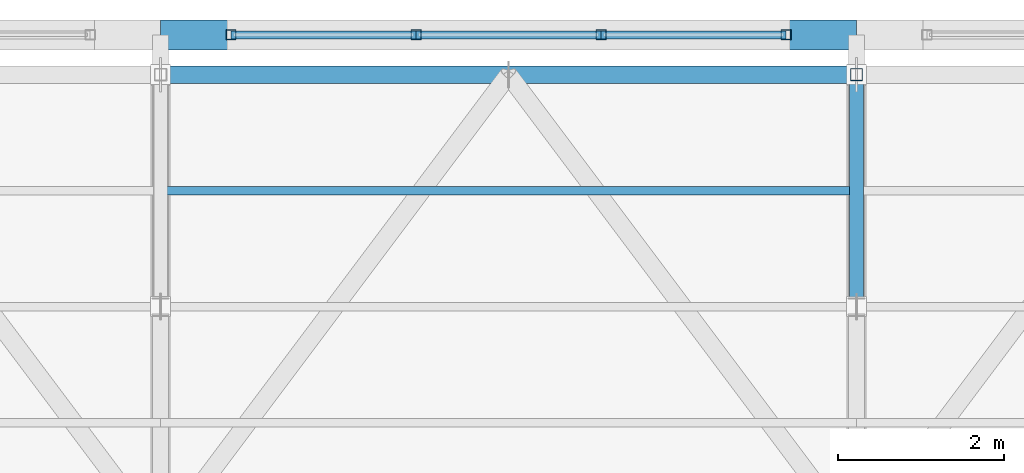
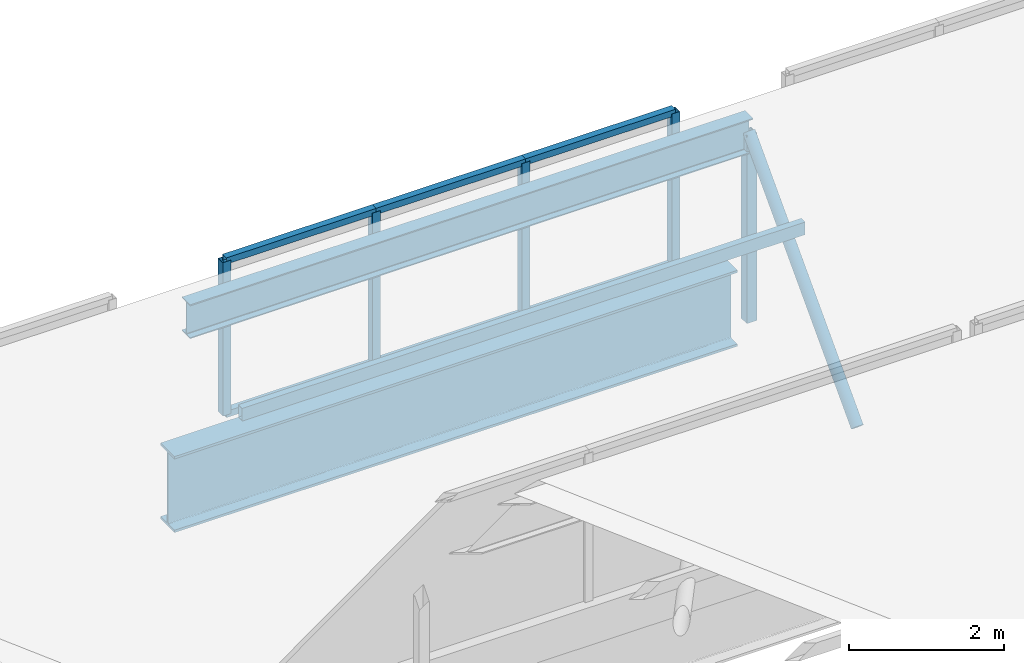
# One storey, part 117 of 217: 14 members, 1 beam, 1 element without a shape of its own.
"""IFC4 building model written with IfcOpenShell, lengths in metres."""

import ifcopenshell
import ifcopenshell.guid

model = None  # the IFC model being written
_history = None  # IfcOwnerHistory: only IFC2X3 demands one
_inside = {}  # id of a spatial element -> (the spatial element, [elements in it])
_under = {}  # id of a project, library or spatial element -> (it, [spatial elements below it])
_declared = {}  # id of a project -> (the project, [libraries it declares])
_typed = {}  # id of a type object -> (the type object, [elements of that type])
_made_of = {}  # id of a material, layer set ... -> (it, [elements and type objects made of it])


def new_model(schema):
    """Start an empty IFC model of exactly this schema.

    Asked for "IFC4X3", IfcOpenShell would pick the latest addendum, in which some entities
    have other attributes; the version numbers below select the first issue.
    IFC2X3 requires an IfcOwnerHistory on every rooted entity: one is made here for all.
    """
    global model, _history
    if schema == "IFC4X3":
        model = ifcopenshell.file(schema_version=(4, 3, 0, 0))
    else:
        model = ifcopenshell.file(schema=schema)
    _inside.clear()
    _under.clear()
    _declared.clear()
    _typed.clear()
    _made_of.clear()
    _history = None
    if model.schema == "IFC2X3":
        org = make("IfcOrganization", Name="unknown")
        user = make(
            "IfcPersonAndOrganization",
            ThePerson=make("IfcPerson", FamilyName="unknown"),
            TheOrganization=org,
        )
        app = make(
            "IfcApplication",
            ApplicationDeveloper=org,
            Version="unknown",
            ApplicationFullName="unknown",
            ApplicationIdentifier="unknown",
        )
        _history = make(
            "IfcOwnerHistory",
            OwningUser=user,
            OwningApplication=app,
            ChangeAction="ADDED",
            CreationDate=0,
        )
    return model


def make(cls, **values):
    """One entity of the class cls with the attributes given. An attribute that is None is left unset."""
    return model.create_entity(
        cls, **{name: value for name, value in values.items() if value is not None}
    )


def rooted(cls, **values):
    """An entity with a GlobalId (a new one), such as an element, a storey or a relation."""
    return make(cls, GlobalId=ifcopenshell.guid.new(), OwnerHistory=_history, **values)


def si_unit(unit_type, name, prefix=None):
    """IfcSIUnit, for example si_unit("LENGTHUNIT", "METRE", prefix="MILLI")."""
    return make("IfcSIUnit", UnitType=unit_type, Prefix=prefix, Name=name)


def assignment(units):
    """IfcUnitAssignment: the units of a project."""
    return None if units is None else make("IfcUnitAssignment", Units=units)


def point(xyz):
    """IfcCartesianPoint."""
    return None if xyz is None else make("IfcCartesianPoint", Coordinates=xyz)


def direction(xyz):
    """IfcDirection."""
    return None if xyz is None else make("IfcDirection", DirectionRatios=xyz)


def frame(location, z_axis=None, x_axis=None):
    """IfcAxis2Placement3D, a coordinate frame: its origin and axes. An axis left out is left unset."""
    return make(
        "IfcAxis2Placement3D",
        Location=point(location),
        Axis=direction(z_axis),
        RefDirection=direction(x_axis),
    )


def frame_2d(location, x_axis=None):
    """IfcAxis2Placement2D, a coordinate frame in the plane: its origin and x axis."""
    return make(
        "IfcAxis2Placement2D", Location=point(location), RefDirection=direction(x_axis)
    )


def origin():
    """The frame at (0, 0, 0) with its axes left unset."""
    return frame((0.0, 0.0, 0.0))


def origin_2d():
    """The frame at (0, 0) in the plane with its x axis left unset."""
    return frame_2d((0.0, 0.0))


def place(relative_to, where):
    """IfcLocalPlacement: puts the frame where relative to a parent placement (None: the world)."""
    return make(
        "IfcLocalPlacement", PlacementRelTo=relative_to, RelativePlacement=where
    )


def context(
    kind, dimensions, precision=None, world=None, true_north=None, identifier=None
):
    """IfcGeometricRepresentationContext, for example the 3D "Model" context."""
    return make(
        "IfcGeometricRepresentationContext",
        ContextIdentifier=identifier,
        ContextType=kind,
        CoordinateSpaceDimension=dimensions,
        Precision=precision,
        WorldCoordinateSystem=world,
        TrueNorth=true_north,
    )


def subcontext(parent, identifier, kind, view, scale=None):
    """IfcGeometricRepresentationSubContext, for example "Body" below "Model"."""
    return make(
        "IfcGeometricRepresentationSubContext",
        ContextIdentifier=identifier,
        ContextType=kind,
        ParentContext=parent,
        TargetScale=scale,
        TargetView=view,
    )


def project(units=None, contexts=None):
    """IfcProject with its units and contexts."""
    return rooted(
        "IfcProject",
        Name="project",
        RepresentationContexts=contexts,
        UnitsInContext=assignment(units),
    )


def spatial(cls, under=None, at=None, **own):
    """A site, building, storey or space (cls), placed at a placement, below another one or the project."""
    s = rooted(cls, ObjectPlacement=at, **own)
    if under is not None:
        _under.setdefault(under.id(), (under, []))[1].append(s)
    return s


def profile(cls, at=None, kind="AREA", **sizes):
    """A parametric profile (cls). Its sizes go by their IFC names, for example OverallWidth=200.0."""
    return make(cls, ProfileType=kind, Position=at, **sizes)


def hollow_rectangle(**sizes):
    """IfcRectangleHollowProfileDef."""
    return profile("IfcRectangleHollowProfileDef", **sizes)


def hollow_circle(**sizes):
    """IfcCircleHollowProfileDef."""
    return profile("IfcCircleHollowProfileDef", **sizes)


def i_section(**sizes):
    """IfcIShapeProfileDef."""
    return profile("IfcIShapeProfileDef", **sizes)


def extrude(swept, where, along, depth):
    """IfcExtrudedAreaSolid: the profile swept, set in the frame where, extruded along a direction by depth."""
    return make(
        "IfcExtrudedAreaSolid",
        SweptArea=swept,
        Position=where,
        ExtrudedDirection=direction(along),
        Depth=depth,
    )


def shape(context_of_items, identifier, shape_type, items):
    """IfcShapeRepresentation: the items that make up one representation, for example the "Body"."""
    return make(
        "IfcShapeRepresentation",
        ContextOfItems=context_of_items,
        RepresentationIdentifier=identifier,
        RepresentationType=shape_type,
        Items=items,
    )


def material(Name=None, Category=None):
    """IfcMaterial."""
    return make("IfcMaterial", Name=Name, Category=Category)


def material_profile(
    of_material, cross_section, Name=None, Category=None, Priority=None
):
    """IfcMaterialProfile: a cross section and its material."""
    return make(
        "IfcMaterialProfile",
        Name=Name,
        Material=of_material,
        Profile=cross_section,
        Priority=Priority,
        Category=Category,
    )


def profile_set(profiles, Name=None, composite=None):
    """IfcMaterialProfileSet."""
    return make(
        "IfcMaterialProfileSet",
        Name=Name,
        MaterialProfiles=profiles,
        CompositeProfile=composite,
    )


def made_of(thing, what):
    """Note that an element or type object is made of a material, layer set ...; save() writes the relation."""
    if what is not None:
        _made_of.setdefault(what.id(), (what, []))[1].append(thing)
    return thing


def type_object(cls, material=None, **own):
    """A type object (cls), such as IfcWallType, which elements share."""
    return made_of(rooted(cls, **own), material)


def element(
    cls,
    number,
    at=None,
    inside=None,
    cuts=None,
    type_object=None,
    material=None,
    context=None,
    identifier="Body",
    shape_type=None,
    held_by="IfcProductDefinitionShape",
    body=None,
    shapes=None,
    **own,
):
    """One element of the class cls, such as IfcWall. Its Tag is "e" and its number.

    at: its placement. inside: the storey or other place that contains it. cuts: it is an
    opening in that element (IfcRelVoidsElement). A single representation is given by context,
    identifier, shape_type and body (its items); several are given by shapes. held_by: the class
    of the entity that holds the representations. save() writes the other relations.
    """
    e = rooted(cls, Tag="e%d" % number, ObjectPlacement=at, **own)
    if body is not None:
        shapes = [shape(context, identifier, shape_type, body)]
    if shapes is not None:
        e.Representation = make(held_by, Representations=shapes)
    if inside is not None:
        _inside.setdefault(inside.id(), (inside, []))[1].append(e)
    if cuts is not None:
        rooted(
            "IfcRelVoidsElement", RelatingBuildingElement=cuts, RelatedOpeningElement=e
        )
    if type_object is not None:
        _typed.setdefault(type_object.id(), (type_object, []))[1].append(e)
    return made_of(e, material)


def aggregate(whole, parts):
    """IfcRelAggregates: a whole, such as a stair, and the parts it consists of."""
    return rooted("IfcRelAggregates", RelatingObject=whole, RelatedObjects=parts)


def save(model, path):
    """Write the relations noted so far, then the file.

    IfcRelAggregates (storeys below a building ...), IfcRelContainedInSpatialStructure (elements
    in a storey), IfcRelDefinesByType, IfcRelAssociatesMaterial and IfcRelDeclares: one each for
    every whole, place, type object, material and project.
    """
    for whole, parts in _under.values():
        aggregate(whole, parts)
    for where, things in _inside.values():
        rooted(
            "IfcRelContainedInSpatialStructure",
            RelatedElements=things,
            RelatingStructure=where,
        )
    for kind, things in _typed.values():
        rooted("IfcRelDefinesByType", RelatedObjects=things, RelatingType=kind)
    for what, things in _made_of.values():
        rooted("IfcRelAssociatesMaterial", RelatedObjects=things, RelatingMaterial=what)
    for by, libraries in _declared.values():
        rooted("IfcRelDeclares", RelatingContext=by, RelatedDefinitions=libraries)
    model.write(path)


model = new_model("IFC4")

# Units and contexts
model_context = context("Model", 3, precision=1e-05, world=origin(), true_north=direction((0.0, 1.0)))
body_context = subcontext(model_context, "Body", "Model", "MODEL_VIEW")
ifc_project = project(units=[si_unit("LENGTHUNIT", "METRE"), si_unit("AREAUNIT", "SQUARE_METRE"), si_unit("VOLUMEUNIT", "CUBIC_METRE"), si_unit("PLANEANGLEUNIT", "RADIAN"), si_unit("MASSUNIT", "GRAM", prefix="KILO")], contexts=[model_context])

# Site, building, storey
site_placement = place(None, origin())
site = spatial("IfcSite", under=ifc_project, at=site_placement, CompositionType="ELEMENT")
building_placement = place(site_placement, origin())
building = spatial("IfcBuilding", under=site, at=building_placement, Name="Zuvorla Pavilion Media Centre", CompositionType="ELEMENT")
storey_placement = place(building_placement, frame((0.0, 0.0, 9.60009765625)))
storey = spatial("IfcBuildingStorey", under=building, at=storey_placement, Name="L02", CompositionType="ELEMENT", Elevation=9.60009765625)

# Beam
ifc_material_1 = material(Name="Steel S355", Category="steel")
ifc_material_profile_1 = material_profile(ifc_material_1, i_section(OverallWidth=0.360107421875, OverallDepth=1.199951171875, WebThickness=0.02001953125, FlangeThickness=0.0380859375, FilletRadius=0.02392578125, at=origin_2d()), Name="PG 1200x360x38")
ifc_profile_set_1 = profile_set([ifc_material_profile_1], Name="Steel S355")
beam_type = type_object("IfcBeamType", Name="BM-PG1200", PredefinedType="BEAM", material=ifc_profile_set_1)
beam_placement = place(storey_placement, frame((92.0, 120.0, -0.88818359375), z_axis=(1.0, 0.0, 0.0), x_axis=(0.0, 1.0, 0.0)))
element("IfcBeam", 1, at=beam_placement, inside=storey, type_object=beam_type, Name="L02 beam B01 1810", PredefinedType="BEAM", context=body_context, shape_type="SweptSolid", body=[
    extrude(i_section(OverallWidth=0.360107421875, OverallDepth=1.199951171875, WebThickness=0.02001953125, FlangeThickness=0.0380859375, FilletRadius=0.02392578125, at=origin_2d()), origin(), (0.0, 0.0, 1.0), 8.39990234375),
])

# Curtain wall, members
ifc_material_2 = material(Name="Unitised anodised aluminium and solar glass curtain wall", Category="aluminium")
curtain_wall_type = type_object("IfcCurtainWallType", Name="CW-SYS-89", PredefinedType="USERDEFINED", material=ifc_material_2)
curtain_wall_placement = place(storey_placement, origin())
curtain_wall = element("IfcCurtainWall", 2, at=curtain_wall_placement, inside=storey, type_object=curtain_wall_type, Name="L02 curtain wall CW89 219", ObjectType="CURTAIN WALL", PredefinedType="USERDEFINED")
ifc_material_3 = material(Name="Anodised aluminium 6063-T6", Category="aluminium")
ifc_material_profile_2 = material_profile(ifc_material_3, hollow_rectangle(XDim=0.1201171875, YDim=0.1201171875, WallThickness=0.0048828125, at=origin_2d()), Name="ALU MULL 120x120")
ifc_profile_set_2 = profile_set([ifc_material_profile_2], Name="Anodised aluminium 6063-T6")
member_type_1 = type_object("IfcMemberType", Name="CW-MULL-120", PredefinedType="MULLION", material=ifc_profile_set_2)
member_1_placement = place(storey_placement, frame((92.850341796875, 120.0, 0.0), z_axis=(0.0, 0.0, 1.0), x_axis=(1.0, 0.0, 0.0)))
member_1 = element("IfcMember", 3, at=member_1_placement, type_object=member_type_1, Name="CW89 mullion 1", PredefinedType="MULLION", context=body_context, shape_type="SweptSolid", body=[
    extrude(hollow_rectangle(XDim=0.1201171875, YDim=0.1201171875, WallThickness=0.0048828125, at=origin_2d()), origin(), (0.0, 0.0, 1.0), 2.419921875),
])
member_2_placement = place(storey_placement, frame((95.08349609375, 120.0, 0.0), z_axis=(0.0, 0.0, 1.0), x_axis=(1.0, 0.0, 0.0)))
member_2 = element("IfcMember", 4, at=member_2_placement, type_object=member_type_1, Name="CW89 mullion 2", PredefinedType="MULLION", context=body_context, shape_type="SweptSolid", body=[
    extrude(hollow_rectangle(XDim=0.1201171875, YDim=0.1201171875, WallThickness=0.0048828125, at=origin_2d()), origin(), (0.0, 0.0, 1.0), 2.419921875),
])
member_3_placement = place(storey_placement, frame((97.316650390625, 120.0, 0.0), z_axis=(0.0, 0.0, 1.0), x_axis=(1.0, 0.0, 0.0)))
member_3 = element("IfcMember", 5, at=member_3_placement, type_object=member_type_1, Name="CW89 mullion 3", PredefinedType="MULLION", context=body_context, shape_type="SweptSolid", body=[
    extrude(hollow_rectangle(XDim=0.1201171875, YDim=0.1201171875, WallThickness=0.0048828125, at=origin_2d()), origin(), (0.0, 0.0, 1.0), 2.419921875),
])
member_4_placement = place(storey_placement, frame((99.5498046875, 120.0, 0.0), z_axis=(0.0, 0.0, 1.0), x_axis=(1.0, 0.0, 0.0)))
member_4 = element("IfcMember", 6, at=member_4_placement, type_object=member_type_1, Name="CW89 mullion 4", PredefinedType="MULLION", context=body_context, shape_type="SweptSolid", body=[
    extrude(hollow_rectangle(XDim=0.1201171875, YDim=0.1201171875, WallThickness=0.0048828125, at=origin_2d()), origin(), (0.0, 0.0, 1.0), 2.419921875),
])
ifc_material_profile_3 = material_profile(ifc_material_3, hollow_rectangle(XDim=0.10009765625, YDim=0.10009765625, WallThickness=0.00439453125, at=origin_2d()), Name="ALU TRAN 100x100")
ifc_profile_set_3 = profile_set([ifc_material_profile_3], Name="Anodised aluminium 6063-T6")
member_type_2 = type_object("IfcMemberType", Name="CW-TRAN-100", PredefinedType="USERDEFINED", material=ifc_profile_set_3)
member_5_placement = place(storey_placement, frame((92.850341796875, 120.0, 0.0), z_axis=(1.0, 0.0, 0.0), x_axis=(0.0, 1.0, 0.0)))
member_5 = element("IfcMember", 7, at=member_5_placement, type_object=member_type_2, Name="CW89 transom 1.1", ObjectType="TRANSOM", PredefinedType="USERDEFINED", context=body_context, shape_type="SweptSolid", body=[
    extrude(hollow_rectangle(XDim=0.10009765625, YDim=0.10009765625, WallThickness=0.00439453125, at=origin_2d()), origin(), (0.0, 0.0, 1.0), 2.233154296875),
])
member_6_placement = place(storey_placement, frame((92.850341796875, 120.0, 2.419921875), z_axis=(1.0, 0.0, 0.0), x_axis=(0.0, 1.0, 0.0)))
member_6 = element("IfcMember", 8, at=member_6_placement, type_object=member_type_2, Name="CW89 transom 1.2", ObjectType="TRANSOM", PredefinedType="USERDEFINED", context=body_context, shape_type="SweptSolid", body=[
    extrude(hollow_rectangle(XDim=0.10009765625, YDim=0.10009765625, WallThickness=0.00439453125, at=origin_2d()), origin(), (0.0, 0.0, 1.0), 2.233154296875),
])
member_7_placement = place(storey_placement, frame((95.08349609375, 120.0, 0.0), z_axis=(1.0, 0.0, 0.0), x_axis=(0.0, 1.0, 0.0)))
member_7 = element("IfcMember", 9, at=member_7_placement, type_object=member_type_2, Name="CW89 transom 2.1", ObjectType="TRANSOM", PredefinedType="USERDEFINED", context=body_context, shape_type="SweptSolid", body=[
    extrude(hollow_rectangle(XDim=0.10009765625, YDim=0.10009765625, WallThickness=0.00439453125, at=origin_2d()), origin(), (0.0, 0.0, 1.0), 2.233154296875),
])
member_8_placement = place(storey_placement, frame((95.08349609375, 120.0, 2.419921875), z_axis=(1.0, 0.0, 0.0), x_axis=(0.0, 1.0, 0.0)))
member_8 = element("IfcMember", 10, at=member_8_placement, type_object=member_type_2, Name="CW89 transom 2.2", ObjectType="TRANSOM", PredefinedType="USERDEFINED", context=body_context, shape_type="SweptSolid", body=[
    extrude(hollow_rectangle(XDim=0.10009765625, YDim=0.10009765625, WallThickness=0.00439453125, at=origin_2d()), origin(), (0.0, 0.0, 1.0), 2.233154296875),
])
member_9_placement = place(storey_placement, frame((97.316650390625, 120.0, 0.0), z_axis=(1.0, 0.0, 0.0), x_axis=(0.0, 1.0, 0.0)))
member_9 = element("IfcMember", 11, at=member_9_placement, type_object=member_type_2, Name="CW89 transom 3.1", ObjectType="TRANSOM", PredefinedType="USERDEFINED", context=body_context, shape_type="SweptSolid", body=[
    extrude(hollow_rectangle(XDim=0.10009765625, YDim=0.10009765625, WallThickness=0.00439453125, at=origin_2d()), origin(), (0.0, 0.0, 1.0), 2.233154296875),
])
member_10_placement = place(storey_placement, frame((97.316650390625, 120.0, 2.419921875), z_axis=(1.0, 0.0, 0.0), x_axis=(0.0, 1.0, 0.0)))
member_10 = element("IfcMember", 12, at=member_10_placement, type_object=member_type_2, Name="CW89 transom 3.2", ObjectType="TRANSOM", PredefinedType="USERDEFINED", context=body_context, shape_type="SweptSolid", body=[
    extrude(hollow_rectangle(XDim=0.10009765625, YDim=0.10009765625, WallThickness=0.00439453125, at=origin_2d()), origin(), (0.0, 0.0, 1.0), 2.233154296875),
])
aggregate(curtain_wall, [member_1, member_2, member_3, member_4, member_5, member_6, member_7, member_8, member_9, member_10])

# Members
ifc_material_profile_4 = material_profile(ifc_material_1, hollow_circle(Radius=0.084228515625, WallThickness=0.008056640625, at=origin_2d()), Name="CHS 168.3x8")
ifc_profile_set_4 = profile_set([ifc_material_profile_4], Name="Steel S355")
member_type_3 = type_object("IfcMemberType", Name="MEM-BRC-CHS168", PredefinedType="BRACE", material=ifc_profile_set_4)
member_11_placement = place(storey_placement, frame((100.39990234375, 116.719970703125, -0.880126953125), z_axis=(0.0, 0.68676242614, 0.726881950555), x_axis=(-1.0, 0.0, 0.0)))
element("IfcMember", 13, at=member_11_placement, inside=storey, type_object=member_type_3, Name="L02 diagonal brace TB03 428", PredefinedType="BRACE", context=body_context, shape_type="SweptSolid", body=[
    extrude(hollow_circle(Radius=0.084228515625, WallThickness=0.008056640625, at=origin_2d()), origin(), (0.0, 0.0, 1.0), 4.0771484375),
])
ifc_material_profile_5 = material_profile(ifc_material_1, i_section(OverallWidth=0.2099609375, OverallDepth=0.53662109375, WebThickness=0.0107421875, FlangeThickness=0.017333984375, FilletRadius=0.0126953125, at=origin_2d()), Name="UB 533x210x101")
ifc_profile_set_5 = profile_set([ifc_material_profile_5], Name="Steel S355")
member_type_4 = type_object("IfcMemberType", Name="MEM-CHD-UB533", PredefinedType="CHORD", material=ifc_profile_set_5)
member_12_placement = place(storey_placement, frame((92.0, 119.52001953125, 2.08349609375), z_axis=(1.0, 0.0, 0.0), x_axis=(0.0, 1.0, 0.0)))
element("IfcMember", 14, at=member_12_placement, inside=storey, type_object=member_type_4, Name="L02 chord TC02 468", PredefinedType="CHORD", context=body_context, shape_type="SweptSolid", body=[
    extrude(i_section(OverallWidth=0.2099609375, OverallDepth=0.53662109375, WebThickness=0.0107421875, FlangeThickness=0.017333984375, FilletRadius=0.0126953125, at=origin_2d()), origin(), (0.0, 0.0, 1.0), 8.39990234375),
])
ifc_material_profile_6 = material_profile(ifc_material_1, hollow_rectangle(XDim=0.10009765625, YDim=0.199951171875, WallThickness=0.008056640625, at=origin_2d()), Name="RHS 200x100x8")
ifc_profile_set_6 = profile_set([ifc_material_profile_6], Name="Steel S355")
member_type_5 = type_object("IfcMemberType", Name="MEM-PUR-RHS200", PredefinedType="PURLIN", material=ifc_profile_set_6)
member_13_placement = place(storey_placement, frame((92.0, 118.1201171875, 1.43359375), z_axis=(1.0, 0.0, 0.0), x_axis=(0.0, 1.0, 0.0)))
element("IfcMember", 15, at=member_13_placement, inside=storey, type_object=member_type_5, Name="L02 purlin PR01 473", PredefinedType="PURLIN", context=body_context, shape_type="SweptSolid", body=[
    extrude(hollow_rectangle(XDim=0.10009765625, YDim=0.199951171875, WallThickness=0.008056640625, at=origin_2d()), origin(), (0.0, 0.0, 1.0), 8.39990234375),
])
ifc_material_profile_7 = material_profile(ifc_material_1, hollow_rectangle(XDim=0.14990234375, YDim=0.14990234375, WallThickness=0.008056640625, at=origin_2d()), Name="SHS 150x150x8")
ifc_profile_set_7 = profile_set([ifc_material_profile_7], Name="Steel S355")
member_type_6 = type_object("IfcMemberType", Name="MEM-STR-SHS150", PredefinedType="STRUT", material=ifc_profile_set_7)
member_14_placement = place(storey_placement, frame((100.39990234375, 119.52001953125, -0.880126953125), z_axis=(0.0, 0.0, 1.0), x_axis=(1.0, 0.0, 0.0)))
element("IfcMember", 16, at=member_14_placement, inside=storey, type_object=member_type_6, Name="L02 vertical strut TS01 427", PredefinedType="STRUT", context=body_context, shape_type="SweptSolid", body=[
    extrude(hollow_rectangle(XDim=0.14990234375, YDim=0.14990234375, WallThickness=0.008056640625, at=origin_2d()), origin(), (0.0, 0.0, 1.0), 2.963623046875),
])

save(model, "model.ifc")
